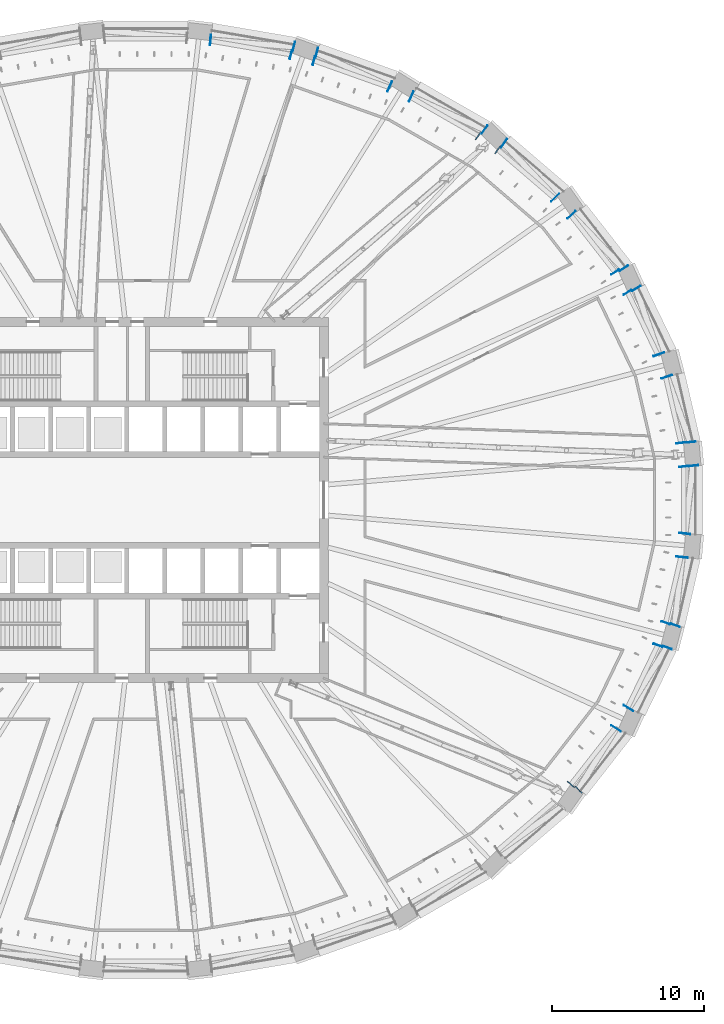
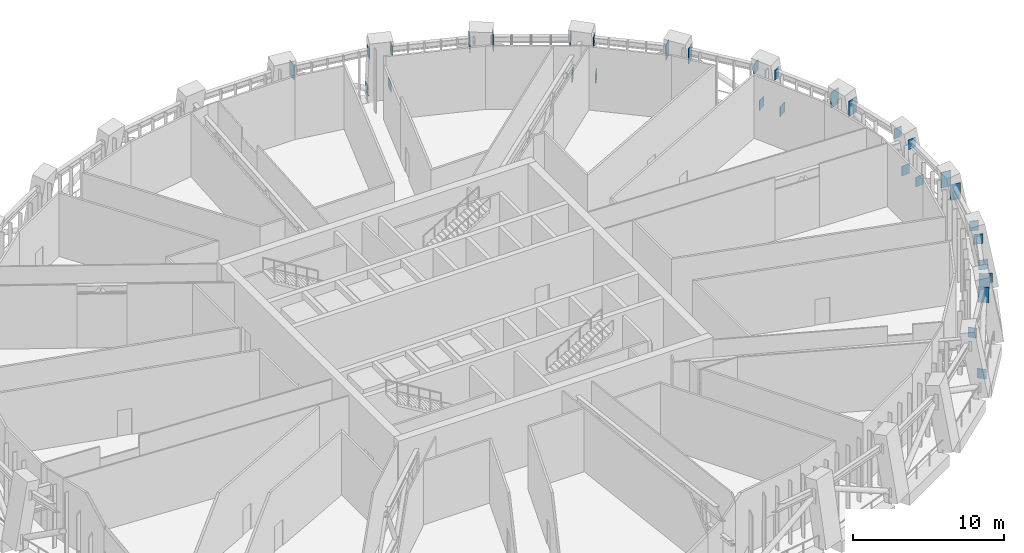
# One storey, part 16 of 22: 33 discrete accessories.
"""IFC4 building model written with IfcOpenShell, lengths in metres."""

from ifc_helpers import new_model, si_unit, direction, frame, origin, origin_2d, place, context, subcontext, project, spatial, rectangle, extrude, material, layer, layer_set, type_object, element, save


model = new_model("IFC4")

# Units and contexts
model_context = context("Model", 3, precision=1e-05, world=origin(), true_north=direction((0.0, 1.0)))
body_context = subcontext(model_context, "Body", "Model", "MODEL_VIEW")
ifc_project = project(units=[si_unit("LENGTHUNIT", "METRE"), si_unit("AREAUNIT", "SQUARE_METRE"), si_unit("VOLUMEUNIT", "CUBIC_METRE"), si_unit("PLANEANGLEUNIT", "RADIAN"), si_unit("MASSUNIT", "GRAM", prefix="KILO")], contexts=[model_context])

# Site, building, storey
site_placement = place(None, origin())
site = spatial("IfcSite", under=ifc_project, at=site_placement, CompositionType="ELEMENT")
building_placement = place(site_placement, origin())
building = spatial("IfcBuilding", under=site, at=building_placement, Name="Halqa Exchange Tower", CompositionType="ELEMENT")
storey_placement = place(building_placement, frame((0.0, 0.0, 99.10009765625)))
storey = spatial("IfcBuildingStorey", under=building, at=storey_placement, Name="L22", CompositionType="ELEMENT", Elevation=99.10009765625)

# Discrete accessories
ifc_material = material(Name="Steel S355", Category="steel")
ifc_layer = layer(ifc_material, 0.0400390625)
ifc_layer_set = layer_set([ifc_layer], Name="Steel S355")
discrete_accessory_type = type_object("IfcDiscreteAccessoryType", Name="Belt truss anchor plate 40", PredefinedType="ANCHORPLATE", material=ifc_layer_set)
discrete_accessory_1_placement = place(storey_placement, frame((35.1572265625, 3.727783203125, 4.25), z_axis=(-0.116485527129, 0.993192389202, 0.0), x_axis=(-0.993192389202, -0.116485527129, 0.0)))
element("IfcDiscreteAccessory", 1, at=discrete_accessory_1_placement, inside=storey, type_object=discrete_accessory_type, Name="Belt truss anchor plate", PredefinedType="ANCHORPLATE", context=body_context, shape_type="SweptSolid", body=[
    extrude(rectangle(XDim=0.60009765625, YDim=0.800048828125, at=origin_2d()), origin(), (0.0, 0.0, 1.0), 0.039794921875),
])
discrete_accessory_2_placement = place(storey_placement, frame((35.330078125, 2.217529296875, 4.25), z_axis=(0.115780500934, -0.993274823804, 0.0), x_axis=(0.993274823804, 0.115780500934, 0.0)))
element("IfcDiscreteAccessory", 2, at=discrete_accessory_2_placement, inside=storey, type_object=discrete_accessory_type, Name="Belt truss anchor plate", PredefinedType="ANCHORPLATE", context=body_context, shape_type="SweptSolid", body=[
    extrude(rectangle(XDim=0.60009765625, YDim=0.800048828125, at=origin_2d()), origin(), (0.0, 0.0, 1.0), 0.0400390625),
])
discrete_accessory_3_placement = place(storey_placement, frame((35.79541015625, 3.780029296875, 0.983642578125), z_axis=(-0.109762219212, 0.993957873973, 0.0), x_axis=(-0.993957873973, -0.109762219212, 0.0)))
element("IfcDiscreteAccessory", 3, at=discrete_accessory_3_placement, inside=storey, type_object=discrete_accessory_type, Name="Belt truss anchor plate", PredefinedType="ANCHORPLATE", context=body_context, shape_type="SweptSolid", body=[
    extrude(rectangle(XDim=0.634033203125, YDim=0.77587890625, at=origin_2d()), origin(), (0.0, 0.0, 1.0), 0.0400390625),
])
discrete_accessory_4_placement = place(storey_placement, frame((35.968017578125, 2.269775390625, 0.98974609375), z_axis=(0.109762219212, -0.993957873973, 0.0), x_axis=(0.993957873973, 0.109762219212, 0.0)))
element("IfcDiscreteAccessory", 4, at=discrete_accessory_4_placement, inside=storey, type_object=discrete_accessory_type, Name="Belt truss anchor plate", PredefinedType="ANCHORPLATE", context=body_context, shape_type="SweptSolid", body=[
    extrude(rectangle(XDim=0.632080078125, YDim=0.778076171875, at=origin_2d()), origin(), (0.0, 0.0, 1.0), 0.0400390625),
])
discrete_accessory_5_placement = place(storey_placement, frame((33.705078125, 9.544677734375, 4.020263671875), z_axis=(-0.334409845171, 0.942427745481, 0.0), x_axis=(-0.942427745481, -0.334409845171, 0.0)))
element("IfcDiscreteAccessory", 5, at=discrete_accessory_5_placement, inside=storey, type_object=discrete_accessory_type, Name="Belt truss anchor plate", PredefinedType="ANCHORPLATE", context=body_context, shape_type="SweptSolid", body=[
    extrude(rectangle(XDim=0.738037109375, YDim=1.259033203125, at=origin_2d()), origin(), (0.0, 0.0, 1.0), 0.0400390625),
])
discrete_accessory_6_placement = place(storey_placement, frame((34.211181640625, 8.111572265625, 4.020263671875), z_axis=(0.334409845171, -0.942427745481, 0.0), x_axis=(0.942427745481, 0.334409845171, 0.0)))
element("IfcDiscreteAccessory", 6, at=discrete_accessory_6_placement, inside=storey, type_object=discrete_accessory_type, Name="Belt truss anchor plate", PredefinedType="ANCHORPLATE", context=body_context, shape_type="SweptSolid", body=[
    extrude(rectangle(XDim=0.739990234375, YDim=1.259033203125, at=origin_2d()), origin(), (0.0, 0.0, 1.0), 0.0400390625),
])
for number, where, z_axis, x_axis, name in (
    (7, (30.839599609375, 14.947021484375, 4.25), (-0.530546985787, 0.847655529016, 0.0), (-0.847655529016, -0.530546985787, 0.0), "Belt truss anchor plate"),
    (8, (31.641845703125, 13.656005859375, 4.25), (0.530546985787, -0.847655529016, 0.0), (0.847655529016, 0.530546985787, 0.0), "Belt truss anchor plate"),
):
    element("IfcDiscreteAccessory", number, at=place(storey_placement, frame(where, z_axis=z_axis, x_axis=x_axis)), inside=storey, type_object=discrete_accessory_type, Name=name, PredefinedType="ANCHORPLATE", context=body_context, shape_type="SweptSolid", body=[
        extrude(rectangle(XDim=0.60009765625, YDim=0.800048828125, at=origin_2d()), origin(), (0.0, 0.0, 1.0), 0.0400390625),
    ])
discrete_accessory_7_placement = place(storey_placement, frame((31.40771484375, 15.19970703125, 0.956787109375), z_axis=(-0.527815847616, 0.849358835243, 0.0), x_axis=(-0.849358835243, -0.527815847616, 0.0)))
element("IfcDiscreteAccessory", 9, at=discrete_accessory_7_placement, inside=storey, type_object=discrete_accessory_type, Name="Belt truss anchor plate", PredefinedType="ANCHORPLATE", context=body_context, shape_type="SweptSolid", body=[
    extrude(rectangle(XDim=0.64990234375, YDim=0.77001953125, at=origin_2d()), origin(), (0.0, 0.0, 1.0), 0.040283203125),
])
discrete_accessory_8_placement = place(storey_placement, frame((32.2080078125, 13.90771484375, 0.98291015625), z_axis=(0.526143980405, -0.850395503212, 0.0), x_axis=(0.850395503212, 0.526143980405, 0.0)))
element("IfcDiscreteAccessory", 10, at=discrete_accessory_8_placement, inside=storey, type_object=discrete_accessory_type, Name="Belt truss anchor plate", PredefinedType="ANCHORPLATE", context=body_context, shape_type="SweptSolid", body=[
    extrude(rectangle(XDim=0.64111328125, YDim=0.77587890625, at=origin_2d()), origin(), (0.0, 0.0, 1.0), 0.039794921875),
])
discrete_accessory_9_placement = place(storey_placement, frame((26.909912109375, 19.845947265625, 4.0341796875), z_axis=(-0.694812020929, 0.719191390085, 0.0), x_axis=(-0.719191390085, -0.694812020929, 0.0)))
element("IfcDiscreteAccessory", 11, at=discrete_accessory_9_placement, inside=storey, type_object=discrete_accessory_type, Name="Belt truss anchor plate", PredefinedType="ANCHORPLATE", context=body_context, shape_type="SweptSolid", body=[
    extrude(rectangle(XDim=0.72900390625, YDim=1.23193359375, at=origin_2d()), origin(), (0.0, 0.0, 1.0), 0.0400390625),
])
discrete_accessory_10_placement = place(storey_placement, frame((27.960205078125, 18.747314453125, 4.033935546875), z_axis=(0.68858929503, -0.725151558483, 0.0), x_axis=(0.725151558483, 0.68858929503, 0.0)))
element("IfcDiscreteAccessory", 12, at=discrete_accessory_10_placement, inside=storey, type_object=discrete_accessory_type, Name="Belt truss anchor plate", PredefinedType="ANCHORPLATE", context=body_context, shape_type="SweptSolid", body=[
    extrude(rectangle(XDim=0.73193359375, YDim=1.23193359375, at=origin_2d()), origin(), (0.0, 0.0, 1.0), 0.0400390625),
])
for number, where, z_axis, x_axis, name in (
    (13, (21.859619140625, 23.901611328125, 4.25), (-0.815785116082, 0.57835511961, 0.0), (-0.57835511961, -0.815785116082, 0.0), "Belt truss anchor plate"),
    (14, (23.1015625, 23.025390625, 4.25), (0.81865747399, -0.57428210862, 0.0), (0.57428210862, 0.81865747399, 0.0), "Belt truss anchor plate"),
):
    element("IfcDiscreteAccessory", number, at=place(storey_placement, frame(where, z_axis=z_axis, x_axis=x_axis)), inside=storey, type_object=discrete_accessory_type, Name=name, PredefinedType="ANCHORPLATE", context=body_context, shape_type="SweptSolid", body=[
        extrude(rectangle(XDim=0.60009765625, YDim=0.800048828125, at=origin_2d()), origin(), (0.0, 0.0, 1.0), 0.0400390625),
    ])
discrete_accessory_11_placement = place(storey_placement, frame((22.27001953125, 24.319091796875, 0.929443359375), z_axis=(-0.81865747399, 0.57428210862, 0.0), x_axis=(-0.57428210862, -0.81865747399, 0.0)))
element("IfcDiscreteAccessory", 15, at=discrete_accessory_11_placement, inside=storey, type_object=discrete_accessory_type, Name="Belt truss anchor plate", PredefinedType="ANCHORPLATE", context=body_context, shape_type="SweptSolid", body=[
    extrude(rectangle(XDim=0.6689453125, YDim=0.762939453125, at=origin_2d()), origin(), (0.0, 0.0, 1.0), 0.0400390625),
])
discrete_accessory_12_placement = place(storey_placement, frame((23.5107421875, 23.44091796875, 0.955322265625), z_axis=(0.81865747399, -0.57428210862, 0.0), x_axis=(0.57428210862, 0.81865747399, 0.0)))
element("IfcDiscreteAccessory", 16, at=discrete_accessory_12_placement, inside=storey, type_object=discrete_accessory_type, Name="Belt truss anchor plate", PredefinedType="ANCHORPLATE", context=body_context, shape_type="SweptSolid", body=[
    extrude(rectangle(XDim=0.659912109375, YDim=0.77001953125, at=origin_2d()), origin(), (0.0, 0.0, 1.0), 0.0400390625),
])
discrete_accessory_13_placement = place(storey_placement, frame((16.04150390625, 27.14697265625, 4.0478515625), z_axis=(-0.908676843963, 0.417500171551, 0.0), x_axis=(-0.417500171551, -0.908676843963, 0.0)))
element("IfcDiscreteAccessory", 17, at=discrete_accessory_13_placement, inside=storey, type_object=discrete_accessory_type, Name="Belt truss anchor plate", PredefinedType="ANCHORPLATE", context=body_context, shape_type="SweptSolid", body=[
    extrude(rectangle(XDim=0.721923828125, YDim=1.2041015625, at=origin_2d()), origin(), (0.0, 0.0, 1.0), 0.039794921875),
])
discrete_accessory_14_placement = place(storey_placement, frame((17.423095703125, 26.51318359375, 4.0478515625), z_axis=(0.91078189984, -0.412887794594, 0.0), x_axis=(0.412887794594, 0.91078189984, 0.0)))
element("IfcDiscreteAccessory", 18, at=discrete_accessory_14_placement, inside=storey, type_object=discrete_accessory_type, Name="Belt truss anchor plate", PredefinedType="ANCHORPLATE", context=body_context, shape_type="SweptSolid", body=[
    extrude(rectangle(XDim=0.722900390625, YDim=1.2041015625, at=origin_2d()), origin(), (0.0, 0.0, 1.0), 0.040283203125),
])
for number, where, z_axis, x_axis, name in (
    (19, (9.5537109375, 29.24755859375, 4.25), (-0.968324838627, 0.249693826313, 0.0), (-0.249693826313, -0.968324838627, 0.0), "Belt truss anchor plate"),
    (20, (11.0244140625, 28.864013671875, 4.25), (0.968324838627, -0.249693826313, 0.0), (0.249693826313, 0.968324838627, 0.0), "Belt truss anchor plate"),
):
    element("IfcDiscreteAccessory", number, at=place(storey_placement, frame(where, z_axis=z_axis, x_axis=x_axis)), inside=storey, type_object=discrete_accessory_type, Name=name, PredefinedType="ANCHORPLATE", context=body_context, shape_type="SweptSolid", body=[
        extrude(rectangle(XDim=0.60009765625, YDim=0.800048828125, at=origin_2d()), origin(), (0.0, 0.0, 1.0), 0.0400390625),
    ])
discrete_accessory_15_placement = place(storey_placement, frame((9.741943359375, 29.76611328125, 0.916748046875), z_axis=(-0.968324838627, 0.249693826313, 0.0), x_axis=(-0.249693826313, -0.968324838627, 0.0)))
element("IfcDiscreteAccessory", 21, at=discrete_accessory_15_placement, inside=storey, type_object=discrete_accessory_type, Name="Belt truss anchor plate", PredefinedType="ANCHORPLATE", context=body_context, shape_type="SweptSolid", body=[
    extrude(rectangle(XDim=0.678955078125, YDim=0.760009765625, at=origin_2d()), origin(), (0.0, 0.0, 1.0), 0.0400390625),
])
discrete_accessory_16_placement = place(storey_placement, frame((11.21240234375, 29.381591796875, 0.928955078125), z_axis=(0.968324838627, -0.249693826313, 0.0), x_axis=(0.249693826313, 0.968324838627, 0.0)))
element("IfcDiscreteAccessory", 22, at=discrete_accessory_16_placement, inside=storey, type_object=discrete_accessory_type, Name="Belt truss anchor plate", PredefinedType="ANCHORPLATE", context=body_context, shape_type="SweptSolid", body=[
    extrude(rectangle(XDim=0.675048828125, YDim=0.762939453125, at=origin_2d()), origin(), (0.0, 0.0, 1.0), 0.0400390625),
])
discrete_accessory_17_placement = place(storey_placement, frame((4.23681640625, 30.214111328125, 4.0546875), z_axis=(0.996331773833, -0.085574508182, 0.0), x_axis=(0.085574508182, 0.996331773833, 0.0)))
element("IfcDiscreteAccessory", 23, at=discrete_accessory_17_placement, inside=storey, type_object=discrete_accessory_type, Name="Belt truss anchor plate", PredefinedType="ANCHORPLATE", context=body_context, shape_type="SweptSolid", body=[
    extrude(rectangle(XDim=0.718994140625, YDim=1.19091796875, at=origin_2d()), origin(), (0.0, 0.0, 1.0), 0.0400390625),
])
discrete_accessory_18_placement = place(storey_placement, frame((27.91259765625, -18.70166015625, 4.25), z_axis=(0.68858929503, 0.725151558483, 0.0), x_axis=(-0.725151558483, 0.68858929503, 0.0)))
element("IfcDiscreteAccessory", 24, at=discrete_accessory_18_placement, inside=storey, type_object=discrete_accessory_type, Name="Belt truss anchor plate", PredefinedType="ANCHORPLATE", context=body_context, shape_type="SweptSolid", body=[
    extrude(rectangle(XDim=0.60009765625, YDim=0.800048828125, at=origin_2d()), origin(), (0.0, 0.0, 1.0), 0.0400390625),
])
discrete_accessory_19_placement = place(storey_placement, frame((28.409912109375, -19.04150390625, 0.97021484375), z_axis=(0.691639439628, 0.722242954656, 0.0), x_axis=(-0.722242954656, 0.691639439628, 0.0)))
element("IfcDiscreteAccessory", 25, at=discrete_accessory_19_placement, inside=storey, type_object=discrete_accessory_type, Name="Belt truss anchor plate", PredefinedType="ANCHORPLATE", context=body_context, shape_type="SweptSolid", body=[
    extrude(rectangle(XDim=0.64990234375, YDim=0.77294921875, at=origin_2d()), origin(), (0.0, 0.0, 1.0), 0.039794921875),
])
discrete_accessory_20_placement = place(storey_placement, frame((31.69970703125, -13.692138671875, 4.026611328125), z_axis=(0.530546985787, 0.847655529016, 0.0), x_axis=(-0.847655529016, 0.530546985787, 0.0)))
element("IfcDiscreteAccessory", 26, at=discrete_accessory_20_placement, inside=storey, type_object=discrete_accessory_type, Name="Belt truss anchor plate", PredefinedType="ANCHORPLATE", context=body_context, shape_type="SweptSolid", body=[
    extrude(rectangle(XDim=0.736083984375, YDim=1.2470703125, at=origin_2d()), origin(), (0.0, 0.0, 1.0), 0.0400390625),
])
discrete_accessory_21_placement = place(storey_placement, frame((30.896484375, -14.982421875, 4.026611328125), z_axis=(-0.530546985787, -0.847655529016, 0.0), x_axis=(0.847655529016, -0.530546985787, 0.0)))
element("IfcDiscreteAccessory", 27, at=discrete_accessory_21_placement, inside=storey, type_object=discrete_accessory_type, Name="Belt truss anchor plate", PredefinedType="ANCHORPLATE", context=body_context, shape_type="SweptSolid", body=[
    extrude(rectangle(XDim=0.73388671875, YDim=1.2470703125, at=origin_2d()), origin(), (0.0, 0.0, 1.0), 0.0400390625),
])
for number, where, z_axis, x_axis, name in (
    (28, (34.145263671875, -8.088134765625, 4.25), (0.334409845171, 0.942427745481, 0.0), (-0.942427745481, 0.334409845171, 0.0), "Belt truss anchor plate"),
    (29, (33.6396484375, -9.521484375, 4.25), (-0.328993186606, -0.944332294887, 0.0), (0.944332294887, -0.328993186606, 0.0), "Belt truss anchor plate"),
):
    element("IfcDiscreteAccessory", number, at=place(storey_placement, frame(where, z_axis=z_axis, x_axis=x_axis)), inside=storey, type_object=discrete_accessory_type, Name=name, PredefinedType="ANCHORPLATE", context=body_context, shape_type="SweptSolid", body=[
        extrude(rectangle(XDim=0.60009765625, YDim=0.800048828125, at=origin_2d()), origin(), (0.0, 0.0, 1.0), 0.0400390625),
    ])
discrete_accessory_22_placement = place(storey_placement, frame((34.7587890625, -8.242919921875, 0.990234375), z_axis=(0.328993186606, 0.944332294887, 0.0), x_axis=(-0.944332294887, 0.328993186606, 0.0)))
element("IfcDiscreteAccessory", 30, at=discrete_accessory_22_placement, inside=storey, type_object=discrete_accessory_type, Name="Belt truss anchor plate", PredefinedType="ANCHORPLATE", context=body_context, shape_type="SweptSolid", body=[
    extrude(rectangle(XDim=0.634033203125, YDim=0.778076171875, at=origin_2d()), origin(), (0.0, 0.0, 1.0), 0.0400390625),
])
discrete_accessory_23_placement = place(storey_placement, frame((34.254638671875, -9.6767578125, 0.9716796875), z_axis=(-0.334409845171, -0.942427745481, 0.0), x_axis=(0.942427745481, -0.334409845171, 0.0)))
element("IfcDiscreteAccessory", 31, at=discrete_accessory_23_placement, inside=storey, type_object=discrete_accessory_type, Name="Belt truss anchor plate", PredefinedType="ANCHORPLATE", context=body_context, shape_type="SweptSolid", body=[
    extrude(rectangle(XDim=0.64111328125, YDim=0.77294921875, at=origin_2d()), origin(), (0.0, 0.0, 1.0), 0.0400390625),
])
discrete_accessory_24_placement = place(storey_placement, frame((35.400390625, -2.2255859375, 4.0166015625), z_axis=(0.115780500934, 0.993274823804, 0.0), x_axis=(-0.993274823804, 0.115780500934, 0.0)))
element("IfcDiscreteAccessory", 32, at=discrete_accessory_24_placement, inside=storey, type_object=discrete_accessory_type, Name="Belt truss anchor plate", PredefinedType="ANCHORPLATE", context=body_context, shape_type="SweptSolid", body=[
    extrude(rectangle(XDim=0.741943359375, YDim=1.26611328125, at=origin_2d()), origin(), (0.0, 0.0, 1.0), 0.0400390625),
])
discrete_accessory_25_placement = place(storey_placement, frame((35.227294921875, -3.735595703125, 4.0166015625), z_axis=(-0.109762219212, -0.993957873973, 0.0), x_axis=(0.993957873973, -0.109762219212, 0.0)))
element("IfcDiscreteAccessory", 33, at=discrete_accessory_25_placement, inside=storey, type_object=discrete_accessory_type, Name="Belt truss anchor plate", PredefinedType="ANCHORPLATE", context=body_context, shape_type="SweptSolid", body=[
    extrude(rectangle(XDim=0.740966796875, YDim=1.26611328125, at=origin_2d()), origin(), (0.0, 0.0, 1.0), 0.0400390625),
])

save(model, "model.ifc")
